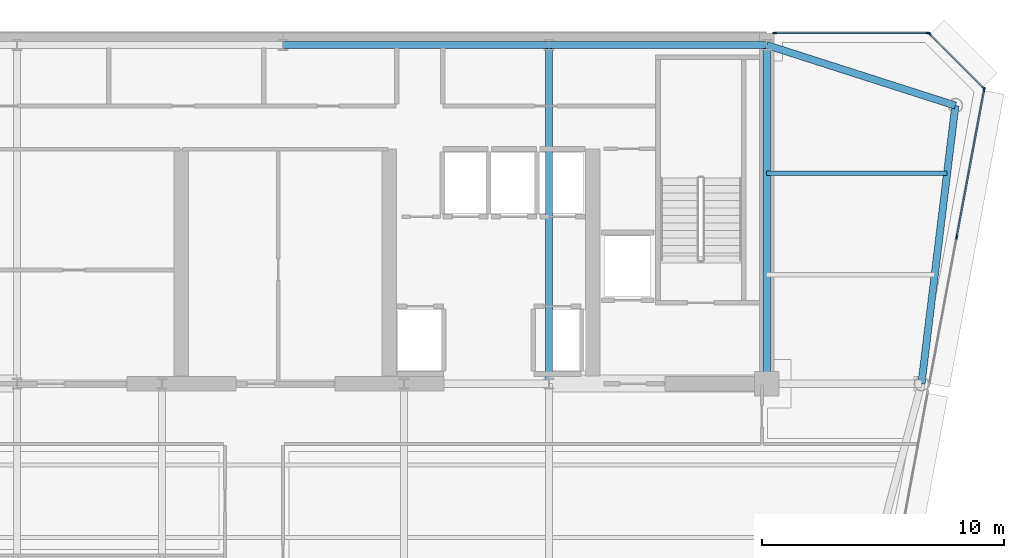
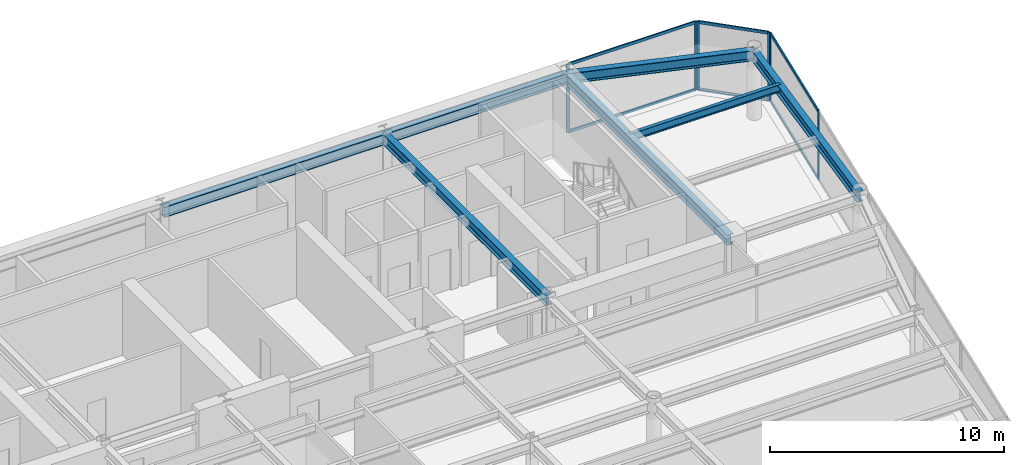
# One storey, part 8 of 18: 12 members, 7 beams, 3 elements without a shape of their own.
"""IFC4 building model written with IfcOpenShell, lengths in metres."""

from ifc_helpers import new_model, si_unit, direction, frame, origin, origin_2d, place, context, subcontext, project, spatial, rectangle, i_section, extrude, source, transform, mapped, material, layer, layer_set, material_profile, profile_set, type_object, element, aggregate, save


model = new_model("IFC4")

# Units and contexts
model_context = context("Model", 3, precision=1e-05, world=origin(), true_north=direction((0.0, 1.0)))
body_context = subcontext(model_context, "Body", "Model", "MODEL_VIEW")
ifc_project = project(units=[si_unit("LENGTHUNIT", "METRE"), si_unit("AREAUNIT", "SQUARE_METRE"), si_unit("VOLUMEUNIT", "CUBIC_METRE"), si_unit("PLANEANGLEUNIT", "RADIAN"), si_unit("MASSUNIT", "GRAM", prefix="KILO")], contexts=[model_context])

# Site, building, storey
site_placement = place(None, origin())
site = spatial("IfcSite", under=ifc_project, at=site_placement, CompositionType="ELEMENT")
building_placement = place(site_placement, origin())
building = spatial("IfcBuilding", under=site, at=building_placement, Name="Vaeldorn Concourse Tower", CompositionType="ELEMENT")
storey_placement = place(building_placement, frame((0.0, 0.0, 242.199951171875)))
storey = spatial("IfcBuildingStorey", under=building, at=storey_placement, Name="L62", CompositionType="ELEMENT", Elevation=242.199951171875)

# Beams
ifc_material_1 = material(Name="Steel S355", Category="steel")
ifc_material_profile_1 = material_profile(ifc_material_1, i_section(OverallWidth=0.179931640625, OverallDepth=0.39990234375, WebThickness=0.008544921875, FlangeThickness=0.013427734375, FilletRadius=0.02099609375, at=origin_2d()), Name="IPE 400")
ifc_profile_set_1 = profile_set([ifc_material_profile_1], Name="Steel S355")
beam_type_1 = type_object("IfcBeamType", Name="BM-JS-IPE400", PredefinedType="JOIST", material=ifc_profile_set_1)
shared_shape_1 = source(origin(), body_context, "Body", "SweptSolid", [
    extrude(i_section(OverallWidth=0.179931640625, OverallDepth=0.39990234375, WebThickness=0.008544921875, FlangeThickness=0.013427734375, FilletRadius=0.02099609375, at=origin_2d()), origin(), (0.0, 0.0, 1.0), 7.458984375),
])
beam_1_placement = place(storey_placement, frame((54.0, 45.199951171875, 3.380126953125), z_axis=(1.0, 0.0, 0.0), x_axis=(0.0, 1.0, 0.0)))
element("IfcBeam", 1, at=beam_1_placement, inside=storey, type_object=beam_type_1, Name="Beam JS-L62-NE-452", PredefinedType="JOIST", context=body_context, shape_type="MappedRepresentation", body=[
    mapped(shared_shape_1, transform((0.0, 0.0, 0.0), scale=1.0)),
])
ifc_material_profile_2 = material_profile(ifc_material_1, i_section(OverallWidth=0.300048828125, OverallDepth=0.550048828125, WebThickness=0.014892578125, FlangeThickness=0.029052734375, FilletRadius=0.027099609375, at=origin_2d()), Name="HEB 550")
ifc_profile_set_2 = profile_set([ifc_material_profile_2], Name="Steel S355")
beam_type_2 = type_object("IfcBeamType", Name="BM-PG-HEB550", PredefinedType="BEAM", material=ifc_profile_set_2)
shared_shape_2 = source(origin(), body_context, "Body", "SweptSolid", [
    extrude(i_section(OverallWidth=0.300048828125, OverallDepth=0.550048828125, WebThickness=0.014892578125, FlangeThickness=0.029052734375, FilletRadius=0.027099609375, at=origin_2d()), origin(), (0.0, 0.0, 1.0), 9.0),
])
beam_2_placement = place(storey_placement, frame((45.0, 50.5, 3.304931640625), z_axis=(1.0, 0.0, 0.0), x_axis=(0.0, 1.0, 0.0)))
element("IfcBeam", 2, at=beam_2_placement, inside=storey, type_object=beam_type_2, Name="Beam BM-L62-C-HC4-C-HC5", PredefinedType="BEAM", context=body_context, shape_type="MappedRepresentation", body=[
    mapped(shared_shape_2, transform((0.0, 0.0, 0.0), scale=1.0)),
])
shared_shape_3 = source(origin(), body_context, "Body", "SweptSolid", [
    extrude(i_section(OverallWidth=0.300048828125, OverallDepth=0.550048828125, WebThickness=0.014892578125, FlangeThickness=0.029052734375, FilletRadius=0.027099609375, at=origin_2d()), origin(), (0.0, 0.0, 1.0), 11.0),
])
beam_3_placement = place(storey_placement, frame((34.0, 50.5, 3.304931640625), z_axis=(1.0, 0.0, 0.0), x_axis=(0.0, 1.0, 0.0)))
element("IfcBeam", 3, at=beam_3_placement, inside=storey, type_object=beam_type_2, Name="Beam BM-L62-C-HC3-C-HC4", PredefinedType="BEAM", context=body_context, shape_type="MappedRepresentation", body=[
    mapped(shared_shape_3, transform((0.0, 0.0, 0.0), scale=1.0)),
])
shared_shape_4 = source(origin(), body_context, "Body", "SweptSolid", [
    extrude(i_section(OverallWidth=0.300048828125, OverallDepth=0.550048828125, WebThickness=0.014892578125, FlangeThickness=0.029052734375, FilletRadius=0.027099609375, at=origin_2d()), origin(), (0.0, 0.0, 1.0), 14.0),
])
for number, where, z_axis, x_axis, name in (
    (4, (45.0, 36.5, 3.304931640625), (0.0, 1.0, 0.0), (-1.0, 0.0, 0.0), "Beam BM-L62-C-FC5-C-HC4"),
    (5, (54.0, 36.5, 3.304931640625), (0.0, 1.0, 0.0), (-1.0, 0.0, 0.0), "Beam BM-L62-C-FC6-C-HC5"),
):
    element("IfcBeam", number, at=place(storey_placement, frame(where, z_axis=z_axis, x_axis=x_axis)), inside=storey, type_object=beam_type_2, Name=name, PredefinedType="BEAM", context=body_context, shape_type="MappedRepresentation", body=[
        mapped(shared_shape_4, transform((0.0, 0.0, 0.0), scale=1.0)),
    ])
shared_shape_5 = source(origin(), body_context, "Body", "SweptSolid", [
    extrude(i_section(OverallWidth=0.300048828125, OverallDepth=0.550048828125, WebThickness=0.014892578125, FlangeThickness=0.029052734375, FilletRadius=0.027099609375, at=origin_2d()), origin(), (0.0, 0.0, 1.0), 8.19091796875),
])
beam_4_placement = place(storey_placement, frame((54.0, 50.5, 3.304931640625), z_axis=(0.952282843383, -0.305216949396, 0.0), x_axis=(0.305216949396, 0.952282843383, 0.0)))
element("IfcBeam", 6, at=beam_4_placement, inside=storey, type_object=beam_type_2, Name="Beam BM-L62-C-HC5-C-NE1", PredefinedType="BEAM", context=body_context, shape_type="MappedRepresentation", body=[
    mapped(shared_shape_5, transform((0.0, 0.0, 0.0), scale=1.0)),
])
shared_shape_6 = source(origin(), body_context, "Body", "SweptSolid", [
    extrude(i_section(OverallWidth=0.300048828125, OverallDepth=0.550048828125, WebThickness=0.014892578125, FlangeThickness=0.029052734375, FilletRadius=0.027099609375, at=origin_2d()), origin(), (0.0, 0.0, 1.0), 11.5849609375),
])
beam_5_placement = place(storey_placement, frame((61.800048828125, 48.0, 3.304931640625), z_axis=(-0.120859382899, -0.992669637677, 0.0), x_axis=(0.992669637677, -0.120859382899, 0.0)))
element("IfcBeam", 7, at=beam_5_placement, inside=storey, type_object=beam_type_2, Name="Beam BM-L62-C-NE1-C-NE2", PredefinedType="BEAM", context=body_context, shape_type="MappedRepresentation", body=[
    mapped(shared_shape_6, transform((0.0, 0.0, 0.0), scale=1.0)),
])

# Curtain wall, members
ifc_material_2 = material(Name="Anodised Bronze Aluminium", Category="aluminium")
ifc_layer = layer(ifc_material_2, 0.179931640625)
ifc_layer_set = layer_set([ifc_layer], Name="Anodised Bronze Aluminium")
curtain_wall_type = type_object("IfcCurtainWallType", Name="CW-SYS-05", PredefinedType="NOTDEFINED", material=ifc_layer_set)
curtain_wall_1_placement = place(storey_placement, origin())
curtain_wall_1 = element("IfcCurtainWall", 8, at=curtain_wall_1_placement, inside=storey, type_object=curtain_wall_type, Name="Unitised Curtain Wall CW-L62-E08-1", PredefinedType="NOTDEFINED")
ifc_material_profile_3 = material_profile(ifc_material_2, rectangle(XDim=0.06494140625, YDim=0.14990234375, at=origin_2d()), Name="CWT 65x150")
ifc_profile_set_3 = profile_set([ifc_material_profile_3], Name="Anodised Bronze Aluminium")
member_type_1 = type_object("IfcMemberType", Name="CWT-BRONZE-150", PredefinedType="USERDEFINED", material=ifc_profile_set_3)
shared_shape_7 = source(origin(), body_context, "Body", "SweptSolid", [
    extrude(rectangle(XDim=0.06494140625, YDim=0.14990234375, at=origin_2d()), origin(), (0.0, 0.0, 1.0), 3.123046875),
])
member_1_placement = place(storey_placement, frame((62.9541015625, 48.745849609375, 0.032470703125), z_axis=(-0.707106781187, 0.707106781187, 0.0), x_axis=(-0.707106781187, -0.707106781187, 0.0)))
member_1 = element("IfcMember", 9, at=member_1_placement, type_object=member_type_1, Name="CW-05 transom 1.1", ObjectType="TRANSOM", PredefinedType="USERDEFINED", context=body_context, shape_type="MappedRepresentation", body=[
    mapped(shared_shape_7, transform((0.0, 0.0, 0.0), scale=1.0)),
])
member_2_placement = place(storey_placement, frame((62.9541015625, 48.745849609375, 3.547607421875), z_axis=(-0.707106781187, 0.707106781187, 0.0), x_axis=(-0.707106781187, -0.707106781187, 0.0)))
member_2 = element("IfcMember", 10, at=member_2_placement, type_object=member_type_1, Name="CW-05 transom 1.2", ObjectType="TRANSOM", PredefinedType="USERDEFINED", context=body_context, shape_type="MappedRepresentation", body=[
    mapped(shared_shape_7, transform((0.0, 0.0, 0.0), scale=1.0)),
])

curtain_wall_2_placement = place(storey_placement, origin())
curtain_wall_2 = element("IfcCurtainWall", 11, at=curtain_wall_2_placement, inside=storey, type_object=curtain_wall_type, Name="Unitised Curtain Wall CW-L62-E07-2", PredefinedType="NOTDEFINED")
ifc_material_profile_4 = material_profile(ifc_material_2, rectangle(XDim=0.06494140625, YDim=0.169921875, at=origin_2d()), Name="CWM 65x170")
ifc_profile_set_4 = profile_set([ifc_material_profile_4], Name="Anodised Bronze Aluminium")
member_type_2 = type_object("IfcMemberType", Name="CWM-BRONZE-170", PredefinedType="MULLION", material=ifc_profile_set_4)
shared_shape_8 = source(origin(), body_context, "Body", "SweptSolid", [
    extrude(rectangle(XDim=0.06494140625, YDim=0.169921875, at=origin_2d()), origin(), (0.0, 0.0, 1.0), 3.580078125),
])
member_3_placement = place(storey_placement, frame((61.857421875, 42.564208984375, 0.0), z_axis=(0.0, 0.0, 1.0), x_axis=(-0.983102768025, 0.183054493257, 0.0)))
member_3 = element("IfcMember", 12, at=member_3_placement, type_object=member_type_2, Name="CW-05 mullion 2", PredefinedType="MULLION", context=body_context, shape_type="MappedRepresentation", body=[
    mapped(shared_shape_8, transform((0.0, 0.0, 0.0), scale=1.0)),
])
member_4_placement = place(storey_placement, frame((62.994140625, 48.66796875, 0.0), z_axis=(0.0, 0.0, 1.0), x_axis=(-0.983102768025, 0.183054493257, 0.0)))
member_4 = element("IfcMember", 13, at=member_4_placement, type_object=member_type_2, Name="CW-05 mullion 3", PredefinedType="MULLION", context=body_context, shape_type="MappedRepresentation", body=[
    mapped(shared_shape_8, transform((0.0, 0.0, 0.0), scale=1.0)),
])

# Member
member_5_placement = place(storey_placement, frame((62.97705078125, 48.722900390625, 0.0), z_axis=(0.0, 0.0, 1.0), x_axis=(-0.707106781187, -0.707106781187, 0.0)))
member_5 = element("IfcMember", 14, at=member_5_placement, type_object=member_type_2, Name="CW-05 mullion 1", PredefinedType="MULLION", context=body_context, shape_type="MappedRepresentation", body=[
    mapped(shared_shape_8, transform((0.0, 0.0, 0.0), scale=1.0)),
])

member_6_placement = place(storey_placement, frame((60.722900390625, 50.97705078125, 0.0), z_axis=(0.0, 0.0, 1.0), x_axis=(-0.707106781187, -0.707106781187, 0.0)))
member_6 = element("IfcMember", 15, at=member_6_placement, type_object=member_type_2, Name="CW-05 mullion 2", PredefinedType="MULLION", context=body_context, shape_type="MappedRepresentation", body=[
    mapped(shared_shape_8, transform((0.0, 0.0, 0.0), scale=1.0)),
])

aggregate(curtain_wall_1, [member_5, member_6, member_1, member_2])

# Curtain wall, members
curtain_wall_3_placement = place(storey_placement, origin())
curtain_wall_3 = element("IfcCurtainWall", 16, at=curtain_wall_3_placement, inside=storey, type_object=curtain_wall_type, Name="Unitised Curtain Wall CW-L62-E09-1", PredefinedType="NOTDEFINED")
member_7_placement = place(storey_placement, frame((60.66748046875, 51.0, 0.0), z_axis=(0.0, 0.0, 1.0), x_axis=(0.0, -1.0, 0.0)))
member_7 = element("IfcMember", 17, at=member_7_placement, type_object=member_type_2, Name="CW-05 mullion 1", PredefinedType="MULLION", context=body_context, shape_type="MappedRepresentation", body=[
    mapped(shared_shape_8, transform((0.0, 0.0, 0.0), scale=1.0)),
])
member_8_placement = place(storey_placement, frame((54.327392578125, 51.0, 0.0), z_axis=(0.0, 0.0, 1.0), x_axis=(0.0, -1.0, 0.0)))
member_8 = element("IfcMember", 18, at=member_8_placement, type_object=member_type_2, Name="CW-05 mullion 2", PredefinedType="MULLION", context=body_context, shape_type="MappedRepresentation", body=[
    mapped(shared_shape_8, transform((0.0, 0.0, 0.0), scale=1.0)),
])
shared_shape_9 = source(origin(), body_context, "Body", "SweptSolid", [
    extrude(rectangle(XDim=0.06494140625, YDim=0.14990234375, at=origin_2d()), origin(), (0.0, 0.0, 1.0), 6.27490234375),
])
member_9_placement = place(storey_placement, frame((60.635009765625, 51.0, 0.032470703125), z_axis=(-1.0, 0.0, 0.0), x_axis=(0.0, -1.0, 0.0)))
member_9 = element("IfcMember", 19, at=member_9_placement, type_object=member_type_1, Name="CW-05 transom 1.1", ObjectType="TRANSOM", PredefinedType="USERDEFINED", context=body_context, shape_type="MappedRepresentation", body=[
    mapped(shared_shape_9, transform((0.0, 0.0, 0.0), scale=1.0)),
])
member_10_placement = place(storey_placement, frame((60.635009765625, 51.0, 3.547607421875), z_axis=(-1.0, 0.0, 0.0), x_axis=(0.0, -1.0, 0.0)))
member_10 = element("IfcMember", 20, at=member_10_placement, type_object=member_type_1, Name="CW-05 transom 1.2", ObjectType="TRANSOM", PredefinedType="USERDEFINED", context=body_context, shape_type="MappedRepresentation", body=[
    mapped(shared_shape_9, transform((0.0, 0.0, 0.0), scale=1.0)),
])
aggregate(curtain_wall_3, [member_7, member_8, member_9, member_10])

# Member
shared_shape_10 = source(origin(), body_context, "Body", "SweptSolid", [
    extrude(rectangle(XDim=0.06494140625, YDim=0.14990234375, at=origin_2d()), origin(), (0.0, 0.0, 1.0), 6.1435546875),
])
member_11_placement = place(storey_placement, frame((61.863525390625, 42.59619140625, 0.032470703125), z_axis=(0.183038328644, 0.983105777751, 0.0), x_axis=(-0.983105777751, 0.183038328644, 0.0)))
member_11 = element("IfcMember", 21, at=member_11_placement, type_object=member_type_1, Name="CW-05 transom 2.1", ObjectType="TRANSOM", PredefinedType="USERDEFINED", context=body_context, shape_type="MappedRepresentation", body=[
    mapped(shared_shape_10, transform((0.0, 0.0, 0.0), scale=1.0)),
])

member_12_placement = place(storey_placement, frame((61.863525390625, 42.59619140625, 3.547607421875), z_axis=(0.183038328644, 0.983105777751, 0.0), x_axis=(-0.983105777751, 0.183038328644, 0.0)))
member_12 = element("IfcMember", 22, at=member_12_placement, type_object=member_type_1, Name="CW-05 transom 2.2", ObjectType="TRANSOM", PredefinedType="USERDEFINED", context=body_context, shape_type="MappedRepresentation", body=[
    mapped(shared_shape_10, transform((0.0, 0.0, 0.0), scale=1.0)),
])

aggregate(curtain_wall_2, [member_3, member_4, member_11, member_12])

save(model, "model.ifc")
